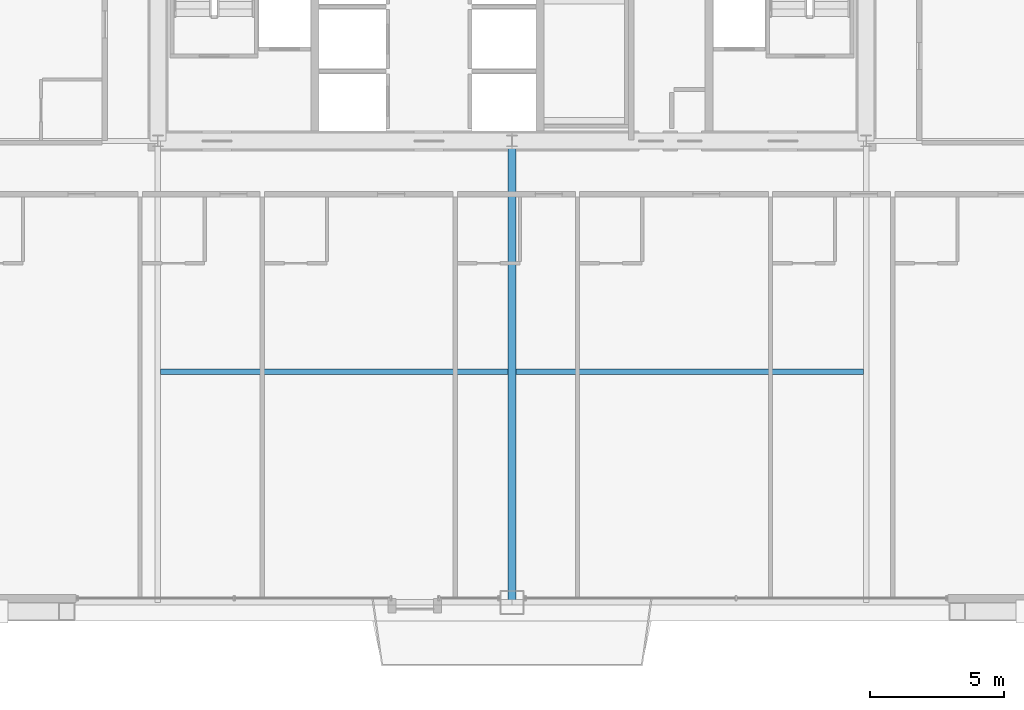
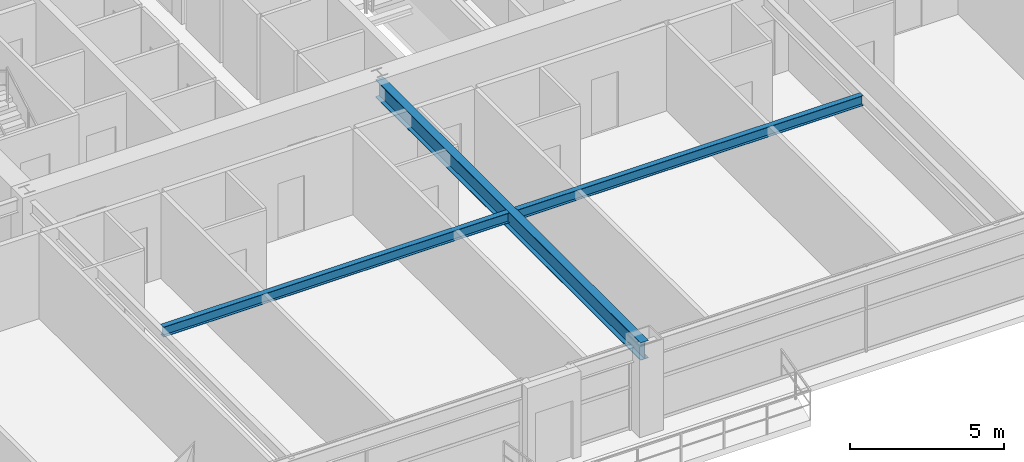
# One storey, part 9 of 43: 3 beams.
"""IFC4 building model written with IfcOpenShell, lengths in metres."""

from ifc_helpers import new_model, si_unit, direction, frame, origin, origin_2d, place, context, subcontext, project, spatial, i_section, extrude, source, transform, mapped, material, material_profile, profile_set, type_object, element, save


model = new_model("IFC4")

# Units and contexts
model_context = context("Model", 3, precision=1e-05, world=origin(), true_north=direction((0.0, 1.0)))
body_context = subcontext(model_context, "Body", "Model", "MODEL_VIEW")
ifc_project = project(units=[si_unit("LENGTHUNIT", "METRE"), si_unit("AREAUNIT", "SQUARE_METRE"), si_unit("VOLUMEUNIT", "CUBIC_METRE"), si_unit("PLANEANGLEUNIT", "RADIAN"), si_unit("MASSUNIT", "GRAM", prefix="KILO"), si_unit("THERMODYNAMICTEMPERATUREUNIT", "KELVIN"), si_unit("POWERUNIT", "WATT")], contexts=[model_context])

# Site, building, storey
site_placement = place(None, origin())
site = spatial("IfcSite", under=ifc_project, at=site_placement, CompositionType="ELEMENT")
building_placement = place(site_placement, origin())
building = spatial("IfcBuilding", under=site, at=building_placement, Name="Yuzanri Waterfront Tower", CompositionType="ELEMENT")
storey_placement = place(building_placement, frame((0.0, 0.0, 93.800048828125)))
storey = spatial("IfcBuildingStorey", under=building, at=storey_placement, Name="L24", CompositionType="ELEMENT", Elevation=93.800048828125)

# Beams
ifc_material_1 = material(Name="Steel Q355B", Category="steel")
ifc_material_profile_1 = material_profile(ifc_material_1, i_section(OverallWidth=0.199951171875, OverallDepth=0.39990234375, WebThickness=0.008056640625, FlangeThickness=0.012939453125, at=origin_2d()), Name="HN 400x200x8x13")
ifc_profile_set_1 = profile_set([ifc_material_profile_1], Name="Steel Q355B")
beam_type_1 = type_object("IfcBeamType", Name="Floor Joist Q355B HN 400x200", PredefinedType="JOIST", material=ifc_profile_set_1)
shared_shape_1 = source(origin(), body_context, "Body", "SweptSolid", [
    extrude(i_section(OverallWidth=0.199951171875, OverallDepth=0.39990234375, WebThickness=0.008056640625, FlangeThickness=0.012939453125, at=origin_2d()), origin(), (0.0, 0.0, 1.0), 12.9501953125),
])
for number, where, z_axis, x_axis, name in (
    (1, (23.89990234375, 10.800048828125, 3.179931640625), (1.0, 0.0, 0.0), (0.0, 1.0, 0.0), "L24 South Bay Joist W"),
    (2, (37.14990234375, 10.800048828125, 3.179931640625), (1.0, 0.0, 0.0), (0.0, 1.0, 0.0), "L24 South Bay Joist E"),
):
    element("IfcBeam", number, at=place(storey_placement, frame(where, z_axis=z_axis, x_axis=x_axis)), inside=storey, type_object=beam_type_1, Name=name, PredefinedType="JOIST", context=body_context, shape_type="MappedRepresentation", body=[
        mapped(shared_shape_1, transform((0.0, 0.0, 0.0), scale=1.0)),
    ])
ifc_material_2 = material(Name="Steel Q355B", Category="steel")
ifc_material_profile_2 = material_profile(ifc_material_2, i_section(OverallWidth=0.300048828125, OverallDepth=0.699951171875, WebThickness=0.012939453125, FlangeThickness=0.02392578125, at=origin_2d()), Name="HN 700x300x13x24")
ifc_profile_set_2 = profile_set([ifc_material_profile_2], Name="Steel Q355B")
beam_type_2 = type_object("IfcBeamType", Name="Primary Floor Girder Q355B HN 700x300", PredefinedType="BEAM", material=ifc_profile_set_2)
shared_shape_2 = source(origin(), body_context, "Body", "SweptSolid", [
    extrude(i_section(OverallWidth=0.300048828125, OverallDepth=0.699951171875, WebThickness=0.012939453125, FlangeThickness=0.02392578125, at=origin_2d()), origin(), (0.0, 0.0, 1.0), 17.199951171875),
])
beam_placement = place(storey_placement, frame((37.0, 19.39990234375, 3.030029296875), z_axis=(0.0, -1.0, 0.0), x_axis=(1.0, 0.0, 0.0)))
element("IfcBeam", 3, at=beam_placement, inside=storey, type_object=beam_type_2, Name="L24 South Grid Girder", PredefinedType="BEAM", context=body_context, shape_type="MappedRepresentation", body=[
    mapped(shared_shape_2, transform((0.0, 0.0, 0.0), scale=1.0)),
])

save(model, "model.ifc")
